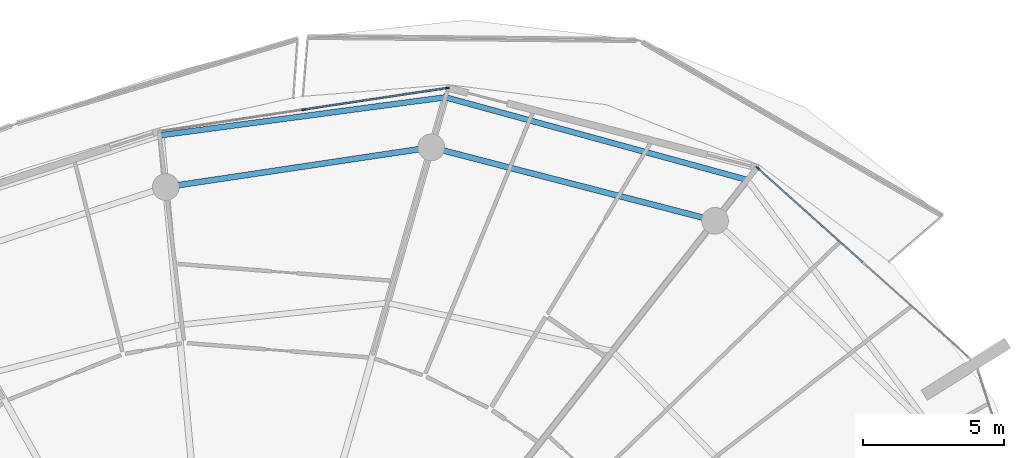
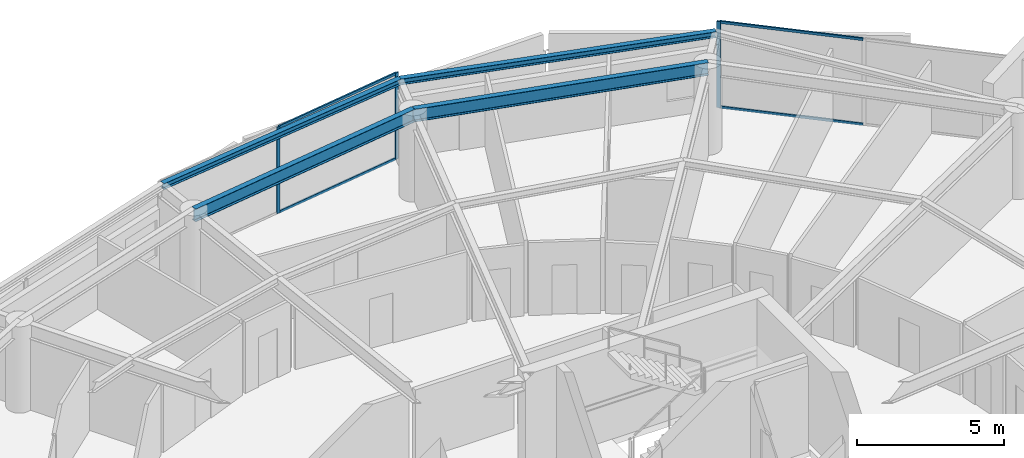
# One storey, part 16 of 30: 7 members, 4 beams, 2 elements without a shape of their own.
"""IFC4 building model written with IfcOpenShell, lengths in metres."""

from ifc_helpers import new_model, si_unit, direction, frame, origin, origin_2d, place, context, subcontext, project, spatial, rectangle, i_section, extrude, material, layer, layer_set, material_profile, profile_set, type_object, element, aggregate, save


model = new_model("IFC4")

# Units and contexts
model_context = context("Model", 3, precision=1e-05, world=origin(), true_north=direction((0.0, 1.0)))
body_context = subcontext(model_context, "Body", "Model", "MODEL_VIEW")
ifc_project = project(units=[si_unit("LENGTHUNIT", "METRE"), si_unit("AREAUNIT", "SQUARE_METRE"), si_unit("VOLUMEUNIT", "CUBIC_METRE"), si_unit("PLANEANGLEUNIT", "RADIAN"), si_unit("MASSUNIT", "GRAM", prefix="KILO")], contexts=[model_context])

# Site, building, storey
site_placement = place(None, origin())
site = spatial("IfcSite", under=ifc_project, at=site_placement, CompositionType="ELEMENT")
building_placement = place(site_placement, origin())
building = spatial("IfcBuilding", under=site, at=building_placement, Name="Kazma Halo Residences", CompositionType="ELEMENT")
storey_placement = place(building_placement, frame((0.0, 0.0, 290.60009765625)))
storey = spatial("IfcBuildingStorey", under=building, at=storey_placement, Name="L73", CompositionType="ELEMENT", Elevation=290.60009765625)

# Beams
ifc_material_1 = material(Name="Steel S355", Category="steel")
ifc_material_profile_1 = material_profile(ifc_material_1, i_section(OverallWidth=0.201904296875, OverallDepth=0.2470703125, WebThickness=0.00732421875, FlangeThickness=0.010986328125, FilletRadius=0.011962890625, at=origin_2d()), Name="W250x49.1")
ifc_profile_set_1 = profile_set([ifc_material_profile_1], Name="Steel S355")
beam_type_1 = type_object("IfcBeamType", Name="BM-BAL-CANT", PredefinedType="BEAM", material=ifc_profile_set_1)
beam_1_placement = place(storey_placement, frame((65.992431640625, 64.823486328125, 3.46630859375), z_axis=(-0.964514665976, 0.264029277006, 0.0), x_axis=(-0.264029277006, -0.964514665976, 0.0)))
element("IfcBeam", 1, at=beam_1_placement, inside=storey, type_object=beam_type_1, Name="L73 wave-balcony tie beam 02", PredefinedType="BEAM", context=body_context, shape_type="SweptSolid", body=[
    extrude(i_section(OverallWidth=0.201904296875, OverallDepth=0.2470703125, WebThickness=0.00732421875, FlangeThickness=0.010986328125, FilletRadius=0.011962890625, at=origin_2d()), origin(), (0.0, 0.0, 1.0), 11.1220703125),
])
beam_2_placement = place(storey_placement, frame((55.26513671875, 67.760009765625, 3.46630859375), z_axis=(-0.991234590706, -0.132113535217, 0.0), x_axis=(0.132113535217, -0.991234590706, 0.0)))
element("IfcBeam", 2, at=beam_2_placement, inside=storey, type_object=beam_type_1, Name="L73 wave-balcony tie beam 03", PredefinedType="BEAM", context=body_context, shape_type="SweptSolid", body=[
    extrude(i_section(OverallWidth=0.201904296875, OverallDepth=0.2470703125, WebThickness=0.00732421875, FlangeThickness=0.010986328125, FilletRadius=0.011962890625, at=origin_2d()), origin(), (0.0, 0.0, 1.0), 10.197021484375),
])
ifc_material_profile_2 = material_profile(ifc_material_1, i_section(OverallWidth=0.208984375, OverallDepth=0.532958984375, WebThickness=0.01025390625, FlangeThickness=0.015625, FilletRadius=0.01611328125, at=origin_2d()), Name="W530x92")
ifc_profile_set_2 = profile_set([ifc_material_profile_2], Name="Steel S355")
beam_type_2 = type_object("IfcBeamType", Name="BM-SPN-W530", PredefinedType="BEAM", material=ifc_profile_set_2)
beam_3_placement = place(storey_placement, frame((64.84716796875, 63.37060546875, 3.323486328125), z_axis=(-0.968126042852, 0.250463500639, 0.0), x_axis=(-0.250463500639, -0.968126042852, 0.0)))
element("IfcBeam", 3, at=beam_3_placement, inside=storey, type_object=beam_type_2, Name="L73 perimeter ring beam 02", PredefinedType="BEAM", context=body_context, shape_type="SweptSolid", body=[
    extrude(i_section(OverallWidth=0.208984375, OverallDepth=0.532958984375, WebThickness=0.01025390625, FlangeThickness=0.015625, FilletRadius=0.01611328125, at=origin_2d()), origin(), (0.0, 0.0, 1.0), 10.416259765625),
])
beam_4_placement = place(storey_placement, frame((54.762939453125, 65.9794921875, 3.323486328125), z_axis=(-0.989035441627, -0.147678350495, 0.0), x_axis=(0.147678350495, -0.989035441627, 0.0)))
element("IfcBeam", 4, at=beam_4_placement, inside=storey, type_object=beam_type_2, Name="L73 perimeter ring beam 03", PredefinedType="BEAM", context=body_context, shape_type="SweptSolid", body=[
    extrude(i_section(OverallWidth=0.208984375, OverallDepth=0.532958984375, WebThickness=0.01025390625, FlangeThickness=0.015625, FilletRadius=0.01611328125, at=origin_2d()), origin(), (0.0, 0.0, 1.0), 9.538818359375),
])

# Curtain wall, member
ifc_material_2 = material(Name="Aluminium AW-6063 T6 and Triple-Silver Low-E Glass", Category="aluminium")
ifc_layer = layer(ifc_material_2, 0.139892578125)
ifc_layer_set = layer_set([ifc_layer], Name="Aluminium AW-6063 T6 and Triple-Silver Low-E Glass")
curtain_wall_type = type_object("IfcCurtainWallType", Name="CW-SYS-5", PredefinedType="NOTDEFINED", material=ifc_layer_set)
curtain_wall_1_placement = place(storey_placement, origin())
curtain_wall_1 = element("IfcCurtainWall", 5, at=curtain_wall_1_placement, inside=storey, type_object=curtain_wall_type, Name="L73 unitised curtain wall B01", PredefinedType="NOTDEFINED")
ifc_material_3 = material(Name="Aluminium AW-6063 T6", Category="aluminium")
ifc_material_profile_3 = material_profile(ifc_material_3, rectangle(XDim=0.06005859375, YDim=0.139892578125, at=origin_2d()), Name="CWM-60x140")
ifc_profile_set_3 = profile_set([ifc_material_profile_3], Name="Aluminium AW-6063 T6")
member_type_1 = type_object("IfcMemberType", Name="CW-SYS-5-MUL", PredefinedType="MULLION", material=ifc_profile_set_3)
member_1_placement = place(storey_placement, frame((66.3603515625, 65.241455078125, 0.0), z_axis=(0.0, 0.0, 1.0), x_axis=(-0.667804826958, -0.744336424671, 0.0)))
member_1 = element("IfcMember", 6, at=member_1_placement, type_object=member_type_1, Name="CWS-5 mullion 3", PredefinedType="MULLION", context=body_context, shape_type="SweptSolid", body=[
    extrude(rectangle(XDim=0.06005859375, YDim=0.139892578125, at=origin_2d()), origin(), (0.0, 0.0, 1.0), 3.58984375),
])

# Curtain wall, members
curtain_wall_2_placement = place(storey_placement, origin())
curtain_wall_2 = element("IfcCurtainWall", 7, at=curtain_wall_2_placement, inside=storey, type_object=curtain_wall_type, Name="L73 unitised curtain wall B03", PredefinedType="NOTDEFINED")
member_2_placement = place(storey_placement, frame((55.328857421875, 68.087158203125, 0.0), z_axis=(0.0, 0.0, 1.0), x_axis=(0.148697080374, -0.988882792998, 0.0)))
member_2 = element("IfcMember", 8, at=member_2_placement, type_object=member_type_1, Name="CWS-5 mullion 1", PredefinedType="MULLION", context=body_context, shape_type="SweptSolid", body=[
    extrude(rectangle(XDim=0.06005859375, YDim=0.139892578125, at=origin_2d()), origin(), (0.0, 0.0, 1.0), 3.58984375),
])
member_3_placement = place(storey_placement, frame((50.2265625, 67.320068359375, 0.0), z_axis=(0.0, 0.0, 1.0), x_axis=(0.148697080374, -0.988882792998, 0.0)))
member_3 = element("IfcMember", 9, at=member_3_placement, type_object=member_type_1, Name="CWS-5 mullion 2", PredefinedType="MULLION", context=body_context, shape_type="SweptSolid", body=[
    extrude(rectangle(XDim=0.06005859375, YDim=0.139892578125, at=origin_2d()), origin(), (0.0, 0.0, 1.0), 3.58984375),
])

# Member
ifc_material_profile_4 = material_profile(ifc_material_3, rectangle(XDim=0.06005859375, YDim=0.10498046875, at=origin_2d()), Name="CWT-60x105")
ifc_profile_set_4 = profile_set([ifc_material_profile_4], Name="Aluminium AW-6063 T6")
member_type_2 = type_object("IfcMemberType", Name="CW-SYS-5-TRN", PredefinedType="USERDEFINED", material=ifc_profile_set_4)
member_4_placement = place(storey_placement, frame((70.099609375, 61.88671875, 0.02978515625), z_axis=(-0.744350700793, 0.667788914425, 0.0), x_axis=(-0.667788914425, -0.744350700793, 0.0)))
member_4 = element("IfcMember", 10, at=member_4_placement, type_object=member_type_2, Name="CWS-5 transom 2.1", ObjectType="TRANSOM", PredefinedType="USERDEFINED", context=body_context, shape_type="SweptSolid", body=[
    extrude(rectangle(XDim=0.06005859375, YDim=0.10498046875, at=origin_2d()), origin(), (0.0, 0.0, 1.0), 4.99365234375),
])

member_5_placement = place(storey_placement, frame((70.099609375, 61.88671875, 3.559814453125), z_axis=(-0.744350700793, 0.667788914425, 0.0), x_axis=(-0.667788914425, -0.744350700793, 0.0)))
member_5 = element("IfcMember", 11, at=member_5_placement, type_object=member_type_2, Name="CWS-5 transom 2.2", ObjectType="TRANSOM", PredefinedType="USERDEFINED", context=body_context, shape_type="SweptSolid", body=[
    extrude(rectangle(XDim=0.06005859375, YDim=0.10498046875, at=origin_2d()), origin(), (0.0, 0.0, 1.0), 4.99365234375),
])

aggregate(curtain_wall_1, [member_1, member_4, member_5])

member_6_placement = place(storey_placement, frame((55.29931640625, 68.082763671875, 0.02978515625), z_axis=(-0.988883972013, -0.148689239341, 0.0), x_axis=(0.148689239341, -0.988883972013, 0.0)))
member_6 = element("IfcMember", 12, at=member_6_placement, type_object=member_type_2, Name="CWS-5 transom 1.1", ObjectType="TRANSOM", PredefinedType="USERDEFINED", context=body_context, shape_type="SweptSolid", body=[
    extrude(rectangle(XDim=0.06005859375, YDim=0.10498046875, at=origin_2d()), origin(), (0.0, 0.0, 1.0), 5.099853515625),
])

member_7_placement = place(storey_placement, frame((55.29931640625, 68.082763671875, 3.559814453125), z_axis=(-0.988883972013, -0.148689239341, 0.0), x_axis=(0.148689239341, -0.988883972013, 0.0)))
member_7 = element("IfcMember", 13, at=member_7_placement, type_object=member_type_2, Name="CWS-5 transom 1.2", ObjectType="TRANSOM", PredefinedType="USERDEFINED", context=body_context, shape_type="SweptSolid", body=[
    extrude(rectangle(XDim=0.06005859375, YDim=0.10498046875, at=origin_2d()), origin(), (0.0, 0.0, 1.0), 5.099853515625),
])

aggregate(curtain_wall_2, [member_2, member_3, member_6, member_7])

save(model, "model.ifc")
